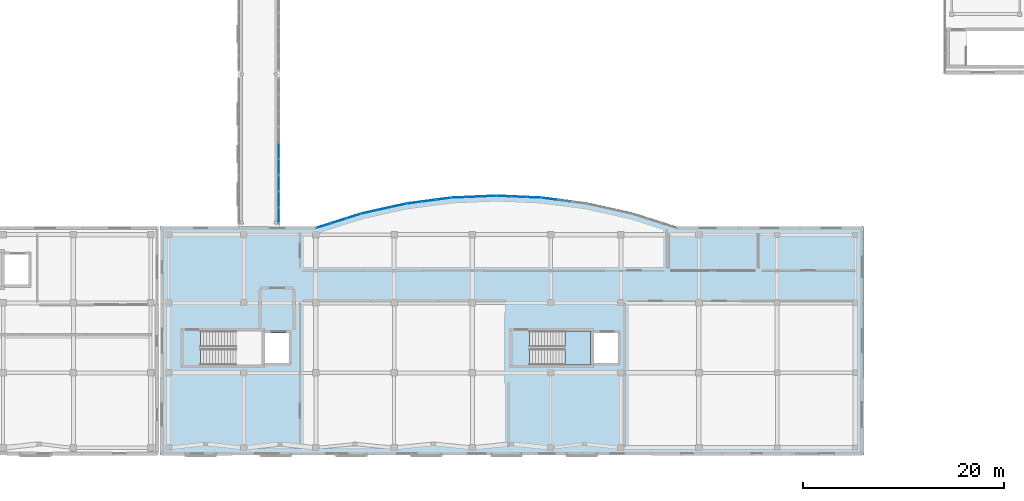
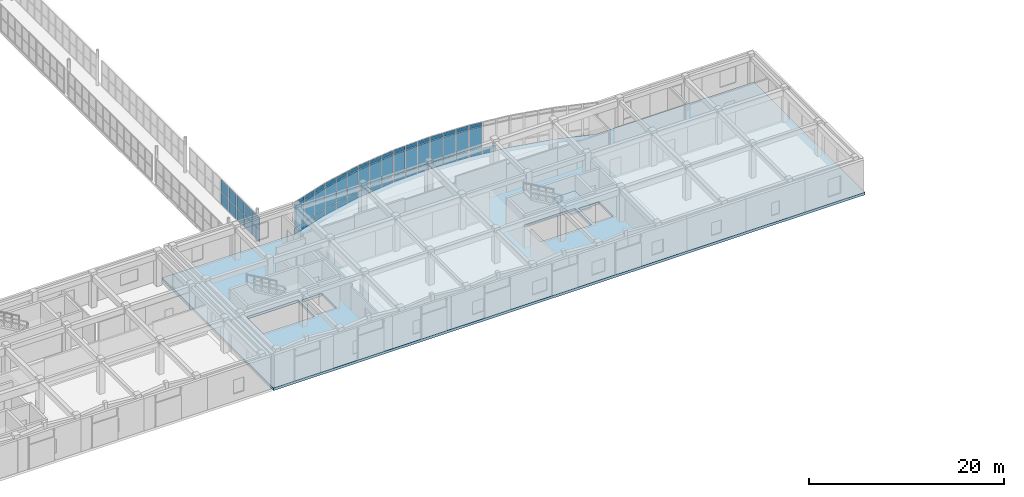
# One storey, part 107 of 142: 59 plates, 2 slabs, 9 elements without a shape of their own.
"""IFC4 building model written with IfcOpenShell, lengths in metres."""

import ifcopenshell
import ifcopenshell.guid

model = None  # the IFC model being written
_history = None  # IfcOwnerHistory: only IFC2X3 demands one
_inside = {}  # id of a spatial element -> (the spatial element, [elements in it])
_under = {}  # id of a project, library or spatial element -> (it, [spatial elements below it])
_declared = {}  # id of a project -> (the project, [libraries it declares])
_typed = {}  # id of a type object -> (the type object, [elements of that type])
_made_of = {}  # id of a material, layer set ... -> (it, [elements and type objects made of it])


def new_model(schema):
    """Start an empty IFC model of exactly this schema.

    Asked for "IFC4X3", IfcOpenShell would pick the latest addendum, in which some entities
    have other attributes; the version numbers below select the first issue.
    IFC2X3 requires an IfcOwnerHistory on every rooted entity: one is made here for all.
    """
    global model, _history
    if schema == "IFC4X3":
        model = ifcopenshell.file(schema_version=(4, 3, 0, 0))
    else:
        model = ifcopenshell.file(schema=schema)
    _inside.clear()
    _under.clear()
    _declared.clear()
    _typed.clear()
    _made_of.clear()
    _history = None
    if model.schema == "IFC2X3":
        org = make("IfcOrganization", Name="unknown")
        user = make(
            "IfcPersonAndOrganization",
            ThePerson=make("IfcPerson", FamilyName="unknown"),
            TheOrganization=org,
        )
        app = make(
            "IfcApplication",
            ApplicationDeveloper=org,
            Version="unknown",
            ApplicationFullName="unknown",
            ApplicationIdentifier="unknown",
        )
        _history = make(
            "IfcOwnerHistory",
            OwningUser=user,
            OwningApplication=app,
            ChangeAction="ADDED",
            CreationDate=0,
        )
    return model


def make(cls, **values):
    """One entity of the class cls with the attributes given. An attribute that is None is left unset."""
    return model.create_entity(
        cls, **{name: value for name, value in values.items() if value is not None}
    )


def rooted(cls, **values):
    """An entity with a GlobalId (a new one), such as an element, a storey or a relation."""
    return make(cls, GlobalId=ifcopenshell.guid.new(), OwnerHistory=_history, **values)


def si_unit(unit_type, name, prefix=None):
    """IfcSIUnit, for example si_unit("LENGTHUNIT", "METRE", prefix="MILLI")."""
    return make("IfcSIUnit", UnitType=unit_type, Prefix=prefix, Name=name)


def assignment(units):
    """IfcUnitAssignment: the units of a project."""
    return None if units is None else make("IfcUnitAssignment", Units=units)


def point(xyz):
    """IfcCartesianPoint."""
    return None if xyz is None else make("IfcCartesianPoint", Coordinates=xyz)


def direction(xyz):
    """IfcDirection."""
    return None if xyz is None else make("IfcDirection", DirectionRatios=xyz)


def frame(location, z_axis=None, x_axis=None):
    """IfcAxis2Placement3D, a coordinate frame: its origin and axes. An axis left out is left unset."""
    return make(
        "IfcAxis2Placement3D",
        Location=point(location),
        Axis=direction(z_axis),
        RefDirection=direction(x_axis),
    )


def frame_2d(location, x_axis=None):
    """IfcAxis2Placement2D, a coordinate frame in the plane: its origin and x axis."""
    return make(
        "IfcAxis2Placement2D", Location=point(location), RefDirection=direction(x_axis)
    )


def origin():
    """The frame at (0, 0, 0) with its axes left unset."""
    return frame((0.0, 0.0, 0.0))


def origin_2d():
    """The frame at (0, 0) in the plane with its x axis left unset."""
    return frame_2d((0.0, 0.0))


def place(relative_to, where):
    """IfcLocalPlacement: puts the frame where relative to a parent placement (None: the world)."""
    return make(
        "IfcLocalPlacement", PlacementRelTo=relative_to, RelativePlacement=where
    )


def context(
    kind, dimensions, precision=None, world=None, true_north=None, identifier=None
):
    """IfcGeometricRepresentationContext, for example the 3D "Model" context."""
    return make(
        "IfcGeometricRepresentationContext",
        ContextIdentifier=identifier,
        ContextType=kind,
        CoordinateSpaceDimension=dimensions,
        Precision=precision,
        WorldCoordinateSystem=world,
        TrueNorth=true_north,
    )


def subcontext(parent, identifier, kind, view, scale=None):
    """IfcGeometricRepresentationSubContext, for example "Body" below "Model"."""
    return make(
        "IfcGeometricRepresentationSubContext",
        ContextIdentifier=identifier,
        ContextType=kind,
        ParentContext=parent,
        TargetScale=scale,
        TargetView=view,
    )


def project(units=None, contexts=None):
    """IfcProject with its units and contexts."""
    return rooted(
        "IfcProject",
        Name="project",
        RepresentationContexts=contexts,
        UnitsInContext=assignment(units),
    )


def spatial(cls, under=None, at=None, **own):
    """A site, building, storey or space (cls), placed at a placement, below another one or the project."""
    s = rooted(cls, ObjectPlacement=at, **own)
    if under is not None:
        _under.setdefault(under.id(), (under, []))[1].append(s)
    return s


def polyline(points):
    """IfcPolyline through the points."""
    return make("IfcPolyline", Points=[point(p) for p in points])


def profile(cls, at=None, kind="AREA", **sizes):
    """A parametric profile (cls). Its sizes go by their IFC names, for example OverallWidth=200.0."""
    return make(cls, ProfileType=kind, Position=at, **sizes)


def rectangle(**sizes):
    """IfcRectangleProfileDef."""
    return profile("IfcRectangleProfileDef", **sizes)


def outline(outer, holes=None, kind="AREA"):
    """IfcArbitraryClosedProfileDef: a profile drawn as a closed curve; with holes, ...WithVoids."""
    if holes is None:
        return make("IfcArbitraryClosedProfileDef", ProfileType=kind, OuterCurve=outer)
    return make(
        "IfcArbitraryProfileDefWithVoids",
        ProfileType=kind,
        OuterCurve=outer,
        InnerCurves=holes,
    )


def extrude(swept, where, along, depth):
    """IfcExtrudedAreaSolid: the profile swept, set in the frame where, extruded along a direction by depth."""
    return make(
        "IfcExtrudedAreaSolid",
        SweptArea=swept,
        Position=where,
        ExtrudedDirection=direction(along),
        Depth=depth,
    )


def shape(context_of_items, identifier, shape_type, items):
    """IfcShapeRepresentation: the items that make up one representation, for example the "Body"."""
    return make(
        "IfcShapeRepresentation",
        ContextOfItems=context_of_items,
        RepresentationIdentifier=identifier,
        RepresentationType=shape_type,
        Items=items,
    )


def material(Name=None, Category=None):
    """IfcMaterial."""
    return make("IfcMaterial", Name=Name, Category=Category)


def layer(
    of_material, thickness, ventilated=None, Name=None, Category=None, Priority=None
):
    """IfcMaterialLayer: one layer of a wall or slab, of a material (None: an air gap)."""
    return make(
        "IfcMaterialLayer",
        Material=of_material,
        LayerThickness=thickness,
        IsVentilated=ventilated,
        Name=Name,
        Category=Category,
        Priority=Priority,
    )


def layer_set(layers, Name=None):
    """IfcMaterialLayerSet."""
    return make("IfcMaterialLayerSet", MaterialLayers=layers, LayerSetName=Name)


def made_of(thing, what):
    """Note that an element or type object is made of a material, layer set ...; save() writes the relation."""
    if what is not None:
        _made_of.setdefault(what.id(), (what, []))[1].append(thing)
    return thing


def type_object(cls, material=None, **own):
    """A type object (cls), such as IfcWallType, which elements share."""
    return made_of(rooted(cls, **own), material)


def element(
    cls,
    number,
    at=None,
    inside=None,
    cuts=None,
    type_object=None,
    material=None,
    context=None,
    identifier="Body",
    shape_type=None,
    held_by="IfcProductDefinitionShape",
    body=None,
    shapes=None,
    **own,
):
    """One element of the class cls, such as IfcWall. Its Tag is "e" and its number.

    at: its placement. inside: the storey or other place that contains it. cuts: it is an
    opening in that element (IfcRelVoidsElement). A single representation is given by context,
    identifier, shape_type and body (its items); several are given by shapes. held_by: the class
    of the entity that holds the representations. save() writes the other relations.
    """
    e = rooted(cls, Tag="e%d" % number, ObjectPlacement=at, **own)
    if body is not None:
        shapes = [shape(context, identifier, shape_type, body)]
    if shapes is not None:
        e.Representation = make(held_by, Representations=shapes)
    if inside is not None:
        _inside.setdefault(inside.id(), (inside, []))[1].append(e)
    if cuts is not None:
        rooted(
            "IfcRelVoidsElement", RelatingBuildingElement=cuts, RelatedOpeningElement=e
        )
    if type_object is not None:
        _typed.setdefault(type_object.id(), (type_object, []))[1].append(e)
    return made_of(e, material)


def aggregate(whole, parts):
    """IfcRelAggregates: a whole, such as a stair, and the parts it consists of."""
    return rooted("IfcRelAggregates", RelatingObject=whole, RelatedObjects=parts)


def save(model, path):
    """Write the relations noted so far, then the file.

    IfcRelAggregates (storeys below a building ...), IfcRelContainedInSpatialStructure (elements
    in a storey), IfcRelDefinesByType, IfcRelAssociatesMaterial and IfcRelDeclares: one each for
    every whole, place, type object, material and project.
    """
    for whole, parts in _under.values():
        aggregate(whole, parts)
    for where, things in _inside.values():
        rooted(
            "IfcRelContainedInSpatialStructure",
            RelatedElements=things,
            RelatingStructure=where,
        )
    for kind, things in _typed.values():
        rooted("IfcRelDefinesByType", RelatedObjects=things, RelatingType=kind)
    for what, things in _made_of.values():
        rooted("IfcRelAssociatesMaterial", RelatedObjects=things, RelatingMaterial=what)
    for by, libraries in _declared.values():
        rooted("IfcRelDeclares", RelatingContext=by, RelatedDefinitions=libraries)
    model.write(path)


model = new_model("IFC4")

# Units and contexts
model_context = context("Model", 3, precision=1e-05, world=origin(), true_north=direction((0.0, 1.0)))
body_context = subcontext(model_context, "Body", "Model", "MODEL_VIEW")
ifc_project = project(units=[si_unit("LENGTHUNIT", "METRE"), si_unit("AREAUNIT", "SQUARE_METRE"), si_unit("VOLUMEUNIT", "CUBIC_METRE"), si_unit("PLANEANGLEUNIT", "RADIAN"), si_unit("MASSUNIT", "GRAM", prefix="KILO")], contexts=[model_context])

# Site, building, storey
site_placement = place(None, origin())
site = spatial("IfcSite", under=ifc_project, at=site_placement, CompositionType="ELEMENT")
building_placement = place(site_placement, origin())
building = spatial("IfcBuilding", under=site, at=building_placement, Name="Valcora Specialist Clinic", CompositionType="ELEMENT")
storey_placement = place(building_placement, frame((0.0, 0.0, 5.10009765625)))
storey = spatial("IfcBuildingStorey", under=building, at=storey_placement, Name="L01", CompositionType="ELEMENT", Elevation=5.10009765625)

# Curtain wall, plates
ifc_material_1 = material(Name="Anodized Bronze Aluminium 6063-T6", Category="aluminium")
ifc_layer_1 = layer(ifc_material_1, 0.175048828125)
ifc_layer_set_1 = layer_set([ifc_layer_1], Name="Anodized Bronze Aluminium 6063-T6")
curtain_wall_type_1 = type_object("IfcCurtainWallType", Name="TY-CW-ARC44", PredefinedType="NOTDEFINED", material=ifc_layer_set_1)
curtain_wall_1_placement = place(storey_placement, origin())
curtain_wall_1 = element("IfcCurtainWall", 1, at=curtain_wall_1_placement, inside=storey, type_object=curtain_wall_type_1, Name="Curtain wall CW-L01-194", PredefinedType="NOTDEFINED")
ifc_material_2 = material(Name="Low-E Laminated Insulating Glass", Category="glass")
ifc_layer_2 = layer(ifc_material_2, 0.028076171875)
ifc_layer_set_2 = layer_set([ifc_layer_2], Name="Low-E Laminated Insulating Glass")
plate_type_1 = type_object("IfcPlateType", Name="TY-CWP-GLZ28", PredefinedType="CURTAIN_PANEL", material=ifc_layer_set_2)
plate_1_placement = place(storey_placement, frame((69.79150390625, 22.89453125, 0.88232421875), z_axis=(0.0, 0.0, 1.0), x_axis=(0.952916356972, 0.303233270958, 0.0)))
plate_1 = element("IfcPlate", 2, at=plate_1_placement, type_object=plate_type_1, Name="CW-ARC-44 panel 1.2", PredefinedType="CURTAIN_PANEL", context=body_context, shape_type="SweptSolid", body=[
    extrude(rectangle(XDim=1.482177734375, YDim=0.028076171875, at=origin_2d()), origin(), (0.0, 0.0, 1.0), 2.639892578125),
])
plate_2_placement = place(storey_placement, frame((69.79150390625, 22.89453125, 3.58740234375), z_axis=(0.0, 0.0, 1.0), x_axis=(0.952916356972, 0.303233270958, 0.0)))
plate_2 = element("IfcPlate", 3, at=plate_2_placement, type_object=plate_type_1, Name="CW-ARC-44 panel 1.3", PredefinedType="CURTAIN_PANEL", context=body_context, shape_type="SweptSolid", body=[
    extrude(rectangle(XDim=1.482177734375, YDim=0.028076171875, at=origin_2d()), origin(), (0.0, 0.0, 1.0), 0.452392578125),
])
plate_3_placement = place(storey_placement, frame((71.28125, 23.368408203125, 0.88232421875), z_axis=(0.0, 0.0, 1.0), x_axis=(0.952916356972, 0.303233270958, 0.0)))
plate_3 = element("IfcPlate", 4, at=plate_3_placement, type_object=plate_type_1, Name="CW-ARC-44 panel 2.2", PredefinedType="CURTAIN_PANEL", context=body_context, shape_type="SweptSolid", body=[
    extrude(rectangle(XDim=1.5146484375, YDim=0.028076171875, at=origin_2d()), origin(), (0.0, 0.0, 1.0), 2.639892578125),
])
plate_4_placement = place(storey_placement, frame((71.28125, 23.368408203125, 3.58740234375), z_axis=(0.0, 0.0, 1.0), x_axis=(0.952916356972, 0.303233270958, 0.0)))
plate_4 = element("IfcPlate", 5, at=plate_4_placement, type_object=plate_type_1, Name="CW-ARC-44 panel 2.3", PredefinedType="CURTAIN_PANEL", context=body_context, shape_type="SweptSolid", body=[
    extrude(rectangle(XDim=1.5146484375, YDim=0.028076171875, at=origin_2d()), origin(), (0.0, 0.0, 1.0), 0.452392578125),
])
plate_5_placement = place(storey_placement, frame((72.77099609375, 23.842529296875, 0.88232421875), z_axis=(0.0, 0.0, 1.0), x_axis=(0.952916356972, 0.303233270958, 0.0)))
plate_5 = element("IfcPlate", 6, at=plate_5_placement, type_object=plate_type_1, Name="CW-ARC-44 panel 3.2", PredefinedType="CURTAIN_PANEL", context=body_context, shape_type="SweptSolid", body=[
    extrude(rectangle(XDim=1.482177734375, YDim=0.028076171875, at=origin_2d()), origin(), (0.0, 0.0, 1.0), 2.639892578125),
])
plate_6_placement = place(storey_placement, frame((72.77099609375, 23.842529296875, 3.58740234375), z_axis=(0.0, 0.0, 1.0), x_axis=(0.952916356972, 0.303233270958, 0.0)))
plate_6 = element("IfcPlate", 7, at=plate_6_placement, type_object=plate_type_1, Name="CW-ARC-44 panel 3.3", PredefinedType="CURTAIN_PANEL", context=body_context, shape_type="SweptSolid", body=[
    extrude(rectangle(XDim=1.482177734375, YDim=0.028076171875, at=origin_2d()), origin(), (0.0, 0.0, 1.0), 0.452392578125),
])

curtain_wall_2_placement = place(storey_placement, origin())
curtain_wall_2 = element("IfcCurtainWall", 8, at=curtain_wall_2_placement, inside=storey, type_object=curtain_wall_type_1, Name="Curtain wall CW-L01-196", PredefinedType="NOTDEFINED")
plate_7_placement = place(storey_placement, frame((78.7900390625, 25.182373046875, 0.88232421875), z_axis=(0.0, 0.0, 1.0), x_axis=(0.991514060421, 0.129999492259, 0.0)))
plate_7 = element("IfcPlate", 9, at=plate_7_placement, type_object=plate_type_1, Name="CW-ARC-44 panel 1.2", PredefinedType="CURTAIN_PANEL", context=body_context, shape_type="SweptSolid", body=[
    extrude(rectangle(XDim=1.410888671875, YDim=0.028076171875, at=origin_2d()), origin(), (0.0, 0.0, 1.0), 2.639892578125),
])
plate_8_placement = place(storey_placement, frame((78.7900390625, 25.182373046875, 3.58740234375), z_axis=(0.0, 0.0, 1.0), x_axis=(0.991514060421, 0.129999492259, 0.0)))
plate_8 = element("IfcPlate", 10, at=plate_8_placement, type_object=plate_type_1, Name="CW-ARC-44 panel 1.3", PredefinedType="CURTAIN_PANEL", context=body_context, shape_type="SweptSolid", body=[
    extrude(rectangle(XDim=1.410888671875, YDim=0.028076171875, at=origin_2d()), origin(), (0.0, 0.0, 1.0), 0.452392578125),
])
plate_9_placement = place(storey_placement, frame((80.26953125, 25.376220703125, 0.88232421875), z_axis=(0.0, 0.0, 1.0), x_axis=(0.991514060421, 0.129999492259, 0.0)))
plate_9 = element("IfcPlate", 11, at=plate_9_placement, type_object=plate_type_1, Name="CW-ARC-44 panel 2.2", PredefinedType="CURTAIN_PANEL", context=body_context, shape_type="SweptSolid", body=[
    extrude(rectangle(XDim=1.443359375, YDim=0.028076171875, at=origin_2d()), origin(), (0.0, 0.0, 1.0), 2.639892578125),
])
plate_10_placement = place(storey_placement, frame((80.26953125, 25.376220703125, 3.58740234375), z_axis=(0.0, 0.0, 1.0), x_axis=(0.991514060421, 0.129999492259, 0.0)))
plate_10 = element("IfcPlate", 12, at=plate_10_placement, type_object=plate_type_1, Name="CW-ARC-44 panel 2.3", PredefinedType="CURTAIN_PANEL", context=body_context, shape_type="SweptSolid", body=[
    extrude(rectangle(XDim=1.443359375, YDim=0.028076171875, at=origin_2d()), origin(), (0.0, 0.0, 1.0), 0.452392578125),
])
plate_11_placement = place(storey_placement, frame((81.7490234375, 25.5703125, 0.88232421875), z_axis=(0.0, 0.0, 1.0), x_axis=(0.991514060421, 0.129999492259, 0.0)))
plate_11 = element("IfcPlate", 13, at=plate_11_placement, type_object=plate_type_1, Name="CW-ARC-44 panel 3.2", PredefinedType="CURTAIN_PANEL", context=body_context, shape_type="SweptSolid", body=[
    extrude(rectangle(XDim=1.410888671875, YDim=0.028076171875, at=origin_2d()), origin(), (0.0, 0.0, 1.0), 2.639892578125),
])
plate_12_placement = place(storey_placement, frame((81.7490234375, 25.5703125, 3.58740234375), z_axis=(0.0, 0.0, 1.0), x_axis=(0.991514060421, 0.129999492259, 0.0)))
plate_12 = element("IfcPlate", 14, at=plate_12_placement, type_object=plate_type_1, Name="CW-ARC-44 panel 3.3", PredefinedType="CURTAIN_PANEL", context=body_context, shape_type="SweptSolid", body=[
    extrude(rectangle(XDim=1.410888671875, YDim=0.028076171875, at=origin_2d()), origin(), (0.0, 0.0, 1.0), 0.452392578125),
])

curtain_wall_3_placement = place(storey_placement, origin())
curtain_wall_3 = element("IfcCurtainWall", 15, at=curtain_wall_3_placement, inside=storey, type_object=curtain_wall_type_1, Name="Curtain wall CW-L01-198", PredefinedType="NOTDEFINED")
plate_13_placement = place(storey_placement, frame((87.76416015625, 25.831787109375, 0.88232421875), z_axis=(0.0, 0.0, 1.0), x_axis=(0.999061821291, -0.043306780525, 0.0)))
plate_13 = element("IfcPlate", 16, at=plate_13_placement, type_object=plate_type_1, Name="CW-ARC-44 panel 1.2", PredefinedType="CURTAIN_PANEL", context=body_context, shape_type="SweptSolid", body=[
    extrude(rectangle(XDim=1.399658203125, YDim=0.028076171875, at=origin_2d()), origin(), (0.0, 0.0, 1.0), 2.639892578125),
])
plate_14_placement = place(storey_placement, frame((87.76416015625, 25.831787109375, 3.58740234375), z_axis=(0.0, 0.0, 1.0), x_axis=(0.999061821291, -0.043306780525, 0.0)))
plate_14 = element("IfcPlate", 17, at=plate_14_placement, type_object=plate_type_1, Name="CW-ARC-44 panel 1.3", PredefinedType="CURTAIN_PANEL", context=body_context, shape_type="SweptSolid", body=[
    extrude(rectangle(XDim=1.399658203125, YDim=0.028076171875, at=origin_2d()), origin(), (0.0, 0.0, 1.0), 0.452392578125),
])
plate_15_placement = place(storey_placement, frame((89.243408203125, 25.767578125, 0.88232421875), z_axis=(0.0, 0.0, 1.0), x_axis=(0.999061821291, -0.043306780525, 0.0)))
plate_15 = element("IfcPlate", 18, at=plate_15_placement, type_object=plate_type_1, Name="CW-ARC-44 panel 2.2", PredefinedType="CURTAIN_PANEL", context=body_context, shape_type="SweptSolid", body=[
    extrude(rectangle(XDim=1.43212890625, YDim=0.028076171875, at=origin_2d()), origin(), (0.0, 0.0, 1.0), 2.639892578125),
])
plate_16_placement = place(storey_placement, frame((89.243408203125, 25.767578125, 3.58740234375), z_axis=(0.0, 0.0, 1.0), x_axis=(0.999061821291, -0.043306780525, 0.0)))
plate_16 = element("IfcPlate", 19, at=plate_16_placement, type_object=plate_type_1, Name="CW-ARC-44 panel 2.3", PredefinedType="CURTAIN_PANEL", context=body_context, shape_type="SweptSolid", body=[
    extrude(rectangle(XDim=1.43212890625, YDim=0.028076171875, at=origin_2d()), origin(), (0.0, 0.0, 1.0), 0.452392578125),
])
plate_17_placement = place(storey_placement, frame((90.722900390625, 25.70361328125, 0.88232421875), z_axis=(0.0, 0.0, 1.0), x_axis=(0.999061821291, -0.043306780525, 0.0)))
plate_17 = element("IfcPlate", 20, at=plate_17_placement, type_object=plate_type_1, Name="CW-ARC-44 panel 3.2", PredefinedType="CURTAIN_PANEL", context=body_context, shape_type="SweptSolid", body=[
    extrude(rectangle(XDim=1.399658203125, YDim=0.028076171875, at=origin_2d()), origin(), (0.0, 0.0, 1.0), 2.639892578125),
])
plate_18_placement = place(storey_placement, frame((90.722900390625, 25.70361328125, 3.58740234375), z_axis=(0.0, 0.0, 1.0), x_axis=(0.999061821291, -0.043306780525, 0.0)))
plate_18 = element("IfcPlate", 21, at=plate_18_placement, type_object=plate_type_1, Name="CW-ARC-44 panel 3.3", PredefinedType="CURTAIN_PANEL", context=body_context, shape_type="SweptSolid", body=[
    extrude(rectangle(XDim=1.399658203125, YDim=0.028076171875, at=origin_2d()), origin(), (0.0, 0.0, 1.0), 0.452392578125),
])

ifc_layer_3 = layer(ifc_material_1, 0.175048828125)
ifc_layer_set_3 = layer_set([ifc_layer_3], Name="Anodized Bronze Aluminium 6063-T6")
curtain_wall_type_2 = type_object("IfcCurtainWallType", Name="TY-CW-BRG14", PredefinedType="NOTDEFINED", material=ifc_layer_set_3)
curtain_wall_4_placement = place(storey_placement, origin())
curtain_wall_4 = element("IfcCurtainWall", 22, at=curtain_wall_4_placement, inside=storey, type_object=curtain_wall_type_2, Name="Curtain wall CW-L01-240", PredefinedType="NOTDEFINED")
plate_19_placement = place(storey_placement, frame((65.280029296875, 23.921875, 0.06494140625), z_axis=(0.0, 0.0, 1.0), x_axis=(0.0, 1.0, 0.0)))
plate_19 = element("IfcPlate", 23, at=plate_19_placement, type_object=plate_type_1, Name="CW-BRG-14 panel 1.1", PredefinedType="CURTAIN_PANEL", context=body_context, shape_type="SweptSolid", body=[
    extrude(rectangle(XDim=1.513671875, YDim=0.028076171875, at=origin_2d()), origin(), (0.0, 0.0, 1.0), 1.5224609375),
])
plate_20_placement = place(storey_placement, frame((65.280029296875, 23.921875, 1.65234375), z_axis=(0.0, 0.0, 1.0), x_axis=(0.0, 1.0, 0.0)))
plate_20 = element("IfcPlate", 24, at=plate_20_placement, type_object=plate_type_1, Name="CW-BRG-14 panel 1.2", PredefinedType="CURTAIN_PANEL", context=body_context, shape_type="SweptSolid", body=[
    extrude(rectangle(XDim=1.513671875, YDim=0.028076171875, at=origin_2d()), origin(), (0.0, 0.0, 1.0), 1.5224609375),
])
plate_21_placement = place(storey_placement, frame((65.280029296875, 25.5166015625, 0.06494140625), z_axis=(0.0, 0.0, 1.0), x_axis=(0.0, 1.0, 0.0)))
plate_21 = element("IfcPlate", 25, at=plate_21_placement, type_object=plate_type_1, Name="CW-BRG-14 panel 2.1", PredefinedType="CURTAIN_PANEL", context=body_context, shape_type="SweptSolid", body=[
    extrude(rectangle(XDim=1.546142578125, YDim=0.028076171875, at=origin_2d()), origin(), (0.0, 0.0, 1.0), 1.5224609375),
])
plate_22_placement = place(storey_placement, frame((65.280029296875, 25.5166015625, 1.65234375), z_axis=(0.0, 0.0, 1.0), x_axis=(0.0, 1.0, 0.0)))
plate_22 = element("IfcPlate", 26, at=plate_22_placement, type_object=plate_type_1, Name="CW-BRG-14 panel 2.2", PredefinedType="CURTAIN_PANEL", context=body_context, shape_type="SweptSolid", body=[
    extrude(rectangle(XDim=1.546142578125, YDim=0.028076171875, at=origin_2d()), origin(), (0.0, 0.0, 1.0), 1.5224609375),
])
plate_23_placement = place(storey_placement, frame((65.280029296875, 27.111572265625, 0.06494140625), z_axis=(0.0, 0.0, 1.0), x_axis=(0.0, 1.0, 0.0)))
plate_23 = element("IfcPlate", 27, at=plate_23_placement, type_object=plate_type_1, Name="CW-BRG-14 panel 3.1", PredefinedType="CURTAIN_PANEL", context=body_context, shape_type="SweptSolid", body=[
    extrude(rectangle(XDim=1.513671875, YDim=0.028076171875, at=origin_2d()), origin(), (0.0, 0.0, 1.0), 1.5224609375),
])
plate_24_placement = place(storey_placement, frame((65.280029296875, 27.111572265625, 1.65234375), z_axis=(0.0, 0.0, 1.0), x_axis=(0.0, 1.0, 0.0)))
plate_24 = element("IfcPlate", 28, at=plate_24_placement, type_object=plate_type_1, Name="CW-BRG-14 panel 3.2", PredefinedType="CURTAIN_PANEL", context=body_context, shape_type="SweptSolid", body=[
    extrude(rectangle(XDim=1.513671875, YDim=0.028076171875, at=origin_2d()), origin(), (0.0, 0.0, 1.0), 1.5224609375),
])
aggregate(curtain_wall_4, [plate_19, plate_20, plate_21, plate_22, plate_23, plate_24])

curtain_wall_5_placement = place(storey_placement, origin())
curtain_wall_5 = element("IfcCurtainWall", 29, at=curtain_wall_5_placement, inside=storey, type_object=curtain_wall_type_1, Name="Curtain wall CW-L01-195", PredefinedType="NOTDEFINED")
ifc_layer_4 = layer(ifc_material_2, 0.033935546875)
ifc_layer_set_4 = layer_set([ifc_layer_4], Name="Low-E Laminated Insulating Glass")
plate_type_2 = type_object("IfcPlateType", Name="TY-CWP-GLZ34", PredefinedType="CURTAIN_PANEL", material=ifc_layer_set_4)
plate_25_placement = place(storey_placement, frame((74.302734375, 24.25634765625, 0.88232421875), z_axis=(0.0, 0.0, 1.0), x_axis=(0.976278614432, 0.216518052372, 0.0)))
plate_25 = element("IfcPlate", 30, at=plate_25_placement, type_object=plate_type_2, Name="CW-ARC-44 panel 1.2", PredefinedType="CURTAIN_PANEL", context=body_context, shape_type="SweptSolid", body=[
    extrude(rectangle(XDim=1.4345703125, YDim=0.033935546875, at=origin_2d()), origin(), (0.0, 0.0, 1.0), 2.639892578125),
])
plate_26_placement = place(storey_placement, frame((74.302734375, 24.25634765625, 3.58740234375), z_axis=(0.0, 0.0, 1.0), x_axis=(0.976278614432, 0.216518052372, 0.0)))
plate_26 = element("IfcPlate", 31, at=plate_26_placement, type_object=plate_type_2, Name="CW-ARC-44 panel 1.3", PredefinedType="CURTAIN_PANEL", context=body_context, shape_type="SweptSolid", body=[
    extrude(rectangle(XDim=1.4345703125, YDim=0.033935546875, at=origin_2d()), origin(), (0.0, 0.0, 1.0), 0.452392578125),
])
plate_27_placement = place(storey_placement, frame((75.782470703125, 24.58447265625, 0.88232421875), z_axis=(0.0, 0.0, 1.0), x_axis=(0.976278614432, 0.216518052372, 0.0)))
plate_27 = element("IfcPlate", 32, at=plate_27_placement, type_object=plate_type_2, Name="CW-ARC-44 panel 2.2", PredefinedType="CURTAIN_PANEL", context=body_context, shape_type="SweptSolid", body=[
    extrude(rectangle(XDim=1.467041015625, YDim=0.033935546875, at=origin_2d()), origin(), (0.0, 0.0, 1.0), 2.639892578125),
])
plate_28_placement = place(storey_placement, frame((75.782470703125, 24.58447265625, 3.58740234375), z_axis=(0.0, 0.0, 1.0), x_axis=(0.976278614432, 0.216518052372, 0.0)))
plate_28 = element("IfcPlate", 33, at=plate_28_placement, type_object=plate_type_2, Name="CW-ARC-44 panel 2.3", PredefinedType="CURTAIN_PANEL", context=body_context, shape_type="SweptSolid", body=[
    extrude(rectangle(XDim=1.467041015625, YDim=0.033935546875, at=origin_2d()), origin(), (0.0, 0.0, 1.0), 0.452392578125),
])
plate_29_placement = place(storey_placement, frame((77.26220703125, 24.912841796875, 0.88232421875), z_axis=(0.0, 0.0, 1.0), x_axis=(0.976278614432, 0.216518052372, 0.0)))
plate_29 = element("IfcPlate", 34, at=plate_29_placement, type_object=plate_type_2, Name="CW-ARC-44 panel 3.2", PredefinedType="CURTAIN_PANEL", context=body_context, shape_type="SweptSolid", body=[
    extrude(rectangle(XDim=1.4345703125, YDim=0.033935546875, at=origin_2d()), origin(), (0.0, 0.0, 1.0), 2.639892578125),
])
plate_30_placement = place(storey_placement, frame((77.26220703125, 24.912841796875, 3.58740234375), z_axis=(0.0, 0.0, 1.0), x_axis=(0.976278614432, 0.216518052372, 0.0)))
plate_30 = element("IfcPlate", 35, at=plate_30_placement, type_object=plate_type_2, Name="CW-ARC-44 panel 3.3", PredefinedType="CURTAIN_PANEL", context=body_context, shape_type="SweptSolid", body=[
    extrude(rectangle(XDim=1.4345703125, YDim=0.033935546875, at=origin_2d()), origin(), (0.0, 0.0, 1.0), 0.452392578125),
])

curtain_wall_6_placement = place(storey_placement, origin())
curtain_wall_6 = element("IfcCurtainWall", 36, at=curtain_wall_6_placement, inside=storey, type_object=curtain_wall_type_1, Name="Curtain wall CW-L01-197", PredefinedType="NOTDEFINED")
plate_31_placement = place(storey_placement, frame((83.277099609375, 25.70361328125, 0.88232421875), z_axis=(0.0, 0.0, 1.0), x_axis=(0.999061821291, 0.043306780525, 0.0)))
plate_31 = element("IfcPlate", 37, at=plate_31_placement, type_object=plate_type_2, Name="CW-ARC-44 panel 1.2", PredefinedType="CURTAIN_PANEL", context=body_context, shape_type="SweptSolid", body=[
    extrude(rectangle(XDim=1.399658203125, YDim=0.033935546875, at=origin_2d()), origin(), (0.0, 0.0, 1.0), 2.639892578125),
])
plate_32_placement = place(storey_placement, frame((83.277099609375, 25.70361328125, 3.58740234375), z_axis=(0.0, 0.0, 1.0), x_axis=(0.999061821291, 0.043306780525, 0.0)))
plate_32 = element("IfcPlate", 38, at=plate_32_placement, type_object=plate_type_2, Name="CW-ARC-44 panel 1.3", PredefinedType="CURTAIN_PANEL", context=body_context, shape_type="SweptSolid", body=[
    extrude(rectangle(XDim=1.399658203125, YDim=0.033935546875, at=origin_2d()), origin(), (0.0, 0.0, 1.0), 0.452392578125),
])
plate_33_placement = place(storey_placement, frame((84.756591796875, 25.767578125, 0.88232421875), z_axis=(0.0, 0.0, 1.0), x_axis=(0.999061821291, 0.043306780525, 0.0)))
plate_33 = element("IfcPlate", 39, at=plate_33_placement, type_object=plate_type_2, Name="CW-ARC-44 panel 2.2", PredefinedType="CURTAIN_PANEL", context=body_context, shape_type="SweptSolid", body=[
    extrude(rectangle(XDim=1.43212890625, YDim=0.033935546875, at=origin_2d()), origin(), (0.0, 0.0, 1.0), 2.639892578125),
])
plate_34_placement = place(storey_placement, frame((84.756591796875, 25.767578125, 3.58740234375), z_axis=(0.0, 0.0, 1.0), x_axis=(0.999061821291, 0.043306780525, 0.0)))
plate_34 = element("IfcPlate", 40, at=plate_34_placement, type_object=plate_type_2, Name="CW-ARC-44 panel 2.3", PredefinedType="CURTAIN_PANEL", context=body_context, shape_type="SweptSolid", body=[
    extrude(rectangle(XDim=1.43212890625, YDim=0.033935546875, at=origin_2d()), origin(), (0.0, 0.0, 1.0), 0.452392578125),
])
plate_35_placement = place(storey_placement, frame((86.23583984375, 25.831787109375, 0.88232421875), z_axis=(0.0, 0.0, 1.0), x_axis=(0.999061821291, 0.043306780525, 0.0)))
plate_35 = element("IfcPlate", 41, at=plate_35_placement, type_object=plate_type_2, Name="CW-ARC-44 panel 3.2", PredefinedType="CURTAIN_PANEL", context=body_context, shape_type="SweptSolid", body=[
    extrude(rectangle(XDim=1.399658203125, YDim=0.033935546875, at=origin_2d()), origin(), (0.0, 0.0, 1.0), 2.639892578125),
])
plate_36_placement = place(storey_placement, frame((86.23583984375, 25.831787109375, 3.58740234375), z_axis=(0.0, 0.0, 1.0), x_axis=(0.999061821291, 0.043306780525, 0.0)))
plate_36 = element("IfcPlate", 42, at=plate_36_placement, type_object=plate_type_2, Name="CW-ARC-44 panel 3.3", PredefinedType="CURTAIN_PANEL", context=body_context, shape_type="SweptSolid", body=[
    extrude(rectangle(XDim=1.399658203125, YDim=0.033935546875, at=origin_2d()), origin(), (0.0, 0.0, 1.0), 0.452392578125),
])

curtain_wall_7_placement = place(storey_placement, origin())
curtain_wall_7 = element("IfcCurtainWall", 43, at=curtain_wall_7_placement, inside=storey, type_object=curtain_wall_type_1, Name="Curtain wall CW-L01-199", PredefinedType="NOTDEFINED")
plate_37_placement = place(storey_placement, frame((92.2509765625, 25.5703125, 0.88232421875), z_axis=(0.0, 0.0, 1.0), x_axis=(0.991514060421, -0.129999492259, 0.0)))
plate_37 = element("IfcPlate", 44, at=plate_37_placement, type_object=plate_type_2, Name="CW-ARC-44 panel 1.2", PredefinedType="CURTAIN_PANEL", context=body_context, shape_type="SweptSolid", body=[
    extrude(rectangle(XDim=1.410888671875, YDim=0.033935546875, at=origin_2d()), origin(), (0.0, 0.0, 1.0), 2.639892578125),
])
plate_38_placement = place(storey_placement, frame((92.2509765625, 25.5703125, 3.58740234375), z_axis=(0.0, 0.0, 1.0), x_axis=(0.991514060421, -0.129999492259, 0.0)))
plate_38 = element("IfcPlate", 45, at=plate_38_placement, type_object=plate_type_2, Name="CW-ARC-44 panel 1.3", PredefinedType="CURTAIN_PANEL", context=body_context, shape_type="SweptSolid", body=[
    extrude(rectangle(XDim=1.410888671875, YDim=0.033935546875, at=origin_2d()), origin(), (0.0, 0.0, 1.0), 0.452392578125),
])

curtain_wall_8_placement = place(storey_placement, origin())
curtain_wall_8 = element("IfcCurtainWall", 46, at=curtain_wall_8_placement, inside=storey, type_object=curtain_wall_type_2, Name="Curtain wall CW-L01-241", PredefinedType="NOTDEFINED")
plate_39_placement = place(storey_placement, frame((65.280029296875, 28.755126953125, 0.06494140625), z_axis=(0.0, 0.0, 1.0), x_axis=(0.0, 1.0, 0.0)))
plate_39 = element("IfcPlate", 47, at=plate_39_placement, type_object=plate_type_2, Name="CW-BRG-14 panel 1.1", PredefinedType="CURTAIN_PANEL", context=body_context, shape_type="SweptSolid", body=[
    extrude(rectangle(XDim=1.513671875, YDim=0.033935546875, at=origin_2d()), origin(), (0.0, 0.0, 1.0), 1.5224609375),
])
plate_40_placement = place(storey_placement, frame((65.280029296875, 28.755126953125, 1.65234375), z_axis=(0.0, 0.0, 1.0), x_axis=(0.0, 1.0, 0.0)))
plate_40 = element("IfcPlate", 48, at=plate_40_placement, type_object=plate_type_2, Name="CW-BRG-14 panel 1.2", PredefinedType="CURTAIN_PANEL", context=body_context, shape_type="SweptSolid", body=[
    extrude(rectangle(XDim=1.513671875, YDim=0.033935546875, at=origin_2d()), origin(), (0.0, 0.0, 1.0), 1.5224609375),
])
plate_41_placement = place(storey_placement, frame((65.280029296875, 30.35009765625, 0.06494140625), z_axis=(0.0, 0.0, 1.0), x_axis=(0.0, 1.0, 0.0)))
plate_41 = element("IfcPlate", 49, at=plate_41_placement, type_object=plate_type_2, Name="CW-BRG-14 panel 2.1", PredefinedType="CURTAIN_PANEL", context=body_context, shape_type="SweptSolid", body=[
    extrude(rectangle(XDim=1.546142578125, YDim=0.033935546875, at=origin_2d()), origin(), (0.0, 0.0, 1.0), 1.5224609375),
])
plate_42_placement = place(storey_placement, frame((65.280029296875, 30.35009765625, 1.65234375), z_axis=(0.0, 0.0, 1.0), x_axis=(0.0, 1.0, 0.0)))
plate_42 = element("IfcPlate", 50, at=plate_42_placement, type_object=plate_type_2, Name="CW-BRG-14 panel 2.2", PredefinedType="CURTAIN_PANEL", context=body_context, shape_type="SweptSolid", body=[
    extrude(rectangle(XDim=1.546142578125, YDim=0.033935546875, at=origin_2d()), origin(), (0.0, 0.0, 1.0), 1.5224609375),
])
aggregate(curtain_wall_8, [plate_39, plate_40, plate_41, plate_42])

# Plate
ifc_material_3 = material(Name="Insulated Spandrel Panel")
ifc_layer_5 = layer(ifc_material_3, 0.044921875)
ifc_layer_set_5 = layer_set([ifc_layer_5], Name="Insulated Spandrel Panel")
plate_type_3 = type_object("IfcPlateType", Name="TY-CWP-SPN45", PredefinedType="SHEET", material=ifc_layer_set_5)
plate_43_placement = place(storey_placement, frame((69.79150390625, 22.89453125, 0.06494140625), z_axis=(0.0, 0.0, 1.0), x_axis=(0.952916356972, 0.303233270958, 0.0)))
plate_43 = element("IfcPlate", 51, at=plate_43_placement, type_object=plate_type_3, Name="CW-ARC-44 panel 1.1", PredefinedType="SHEET", context=body_context, shape_type="SweptSolid", body=[
    extrude(rectangle(XDim=1.482177734375, YDim=0.044921875, at=origin_2d()), origin(), (0.0, 0.0, 1.0), 0.75244140625),
])

plate_44_placement = place(storey_placement, frame((71.28125, 23.368408203125, 0.06494140625), z_axis=(0.0, 0.0, 1.0), x_axis=(0.952916356972, 0.303233270958, 0.0)))
plate_44 = element("IfcPlate", 52, at=plate_44_placement, type_object=plate_type_3, Name="CW-ARC-44 panel 2.1", PredefinedType="SHEET", context=body_context, shape_type="SweptSolid", body=[
    extrude(rectangle(XDim=1.5146484375, YDim=0.044921875, at=origin_2d()), origin(), (0.0, 0.0, 1.0), 0.75244140625),
])

plate_45_placement = place(storey_placement, frame((72.77099609375, 23.842529296875, 0.06494140625), z_axis=(0.0, 0.0, 1.0), x_axis=(0.952916356972, 0.303233270958, 0.0)))
plate_45 = element("IfcPlate", 53, at=plate_45_placement, type_object=plate_type_3, Name="CW-ARC-44 panel 3.1", PredefinedType="SHEET", context=body_context, shape_type="SweptSolid", body=[
    extrude(rectangle(XDim=1.482177734375, YDim=0.044921875, at=origin_2d()), origin(), (0.0, 0.0, 1.0), 0.75244140625),
])

aggregate(curtain_wall_1, [plate_43, plate_1, plate_2, plate_44, plate_3, plate_4, plate_45, plate_5, plate_6])

plate_46_placement = place(storey_placement, frame((74.302734375, 24.25634765625, 0.06494140625), z_axis=(0.0, 0.0, 1.0), x_axis=(0.976278614432, 0.216518052372, 0.0)))
plate_46 = element("IfcPlate", 54, at=plate_46_placement, type_object=plate_type_3, Name="CW-ARC-44 panel 1.1", PredefinedType="SHEET", context=body_context, shape_type="SweptSolid", body=[
    extrude(rectangle(XDim=1.4345703125, YDim=0.044921875, at=origin_2d()), origin(), (0.0, 0.0, 1.0), 0.75244140625),
])

plate_47_placement = place(storey_placement, frame((75.782470703125, 24.58447265625, 0.06494140625), z_axis=(0.0, 0.0, 1.0), x_axis=(0.976278614432, 0.216518052372, 0.0)))
plate_47 = element("IfcPlate", 55, at=plate_47_placement, type_object=plate_type_3, Name="CW-ARC-44 panel 2.1", PredefinedType="SHEET", context=body_context, shape_type="SweptSolid", body=[
    extrude(rectangle(XDim=1.467041015625, YDim=0.044921875, at=origin_2d()), origin(), (0.0, 0.0, 1.0), 0.75244140625),
])

plate_48_placement = place(storey_placement, frame((77.26220703125, 24.912841796875, 0.06494140625), z_axis=(0.0, 0.0, 1.0), x_axis=(0.976278614432, 0.216518052372, 0.0)))
plate_48 = element("IfcPlate", 56, at=plate_48_placement, type_object=plate_type_3, Name="CW-ARC-44 panel 3.1", PredefinedType="SHEET", context=body_context, shape_type="SweptSolid", body=[
    extrude(rectangle(XDim=1.4345703125, YDim=0.044921875, at=origin_2d()), origin(), (0.0, 0.0, 1.0), 0.75244140625),
])

aggregate(curtain_wall_5, [plate_46, plate_25, plate_26, plate_47, plate_27, plate_28, plate_48, plate_29, plate_30])

plate_49_placement = place(storey_placement, frame((78.7900390625, 25.182373046875, 0.06494140625), z_axis=(0.0, 0.0, 1.0), x_axis=(0.991514060421, 0.129999492259, 0.0)))
plate_49 = element("IfcPlate", 57, at=plate_49_placement, type_object=plate_type_3, Name="CW-ARC-44 panel 1.1", PredefinedType="SHEET", context=body_context, shape_type="SweptSolid", body=[
    extrude(rectangle(XDim=1.410888671875, YDim=0.044921875, at=origin_2d()), origin(), (0.0, 0.0, 1.0), 0.75244140625),
])

plate_50_placement = place(storey_placement, frame((80.26953125, 25.376220703125, 0.06494140625), z_axis=(0.0, 0.0, 1.0), x_axis=(0.991514060421, 0.129999492259, 0.0)))
plate_50 = element("IfcPlate", 58, at=plate_50_placement, type_object=plate_type_3, Name="CW-ARC-44 panel 2.1", PredefinedType="SHEET", context=body_context, shape_type="SweptSolid", body=[
    extrude(rectangle(XDim=1.443359375, YDim=0.044921875, at=origin_2d()), origin(), (0.0, 0.0, 1.0), 0.75244140625),
])

plate_51_placement = place(storey_placement, frame((81.7490234375, 25.5703125, 0.06494140625), z_axis=(0.0, 0.0, 1.0), x_axis=(0.991514060421, 0.129999492259, 0.0)))
plate_51 = element("IfcPlate", 59, at=plate_51_placement, type_object=plate_type_3, Name="CW-ARC-44 panel 3.1", PredefinedType="SHEET", context=body_context, shape_type="SweptSolid", body=[
    extrude(rectangle(XDim=1.410888671875, YDim=0.044921875, at=origin_2d()), origin(), (0.0, 0.0, 1.0), 0.75244140625),
])

aggregate(curtain_wall_2, [plate_49, plate_7, plate_8, plate_50, plate_9, plate_10, plate_51, plate_11, plate_12])

plate_52_placement = place(storey_placement, frame((83.277099609375, 25.70361328125, 0.06494140625), z_axis=(0.0, 0.0, 1.0), x_axis=(0.999061821291, 0.043306780525, 0.0)))
plate_52 = element("IfcPlate", 60, at=plate_52_placement, type_object=plate_type_3, Name="CW-ARC-44 panel 1.1", PredefinedType="SHEET", context=body_context, shape_type="SweptSolid", body=[
    extrude(rectangle(XDim=1.399658203125, YDim=0.044921875, at=origin_2d()), origin(), (0.0, 0.0, 1.0), 0.75244140625),
])

plate_53_placement = place(storey_placement, frame((84.756591796875, 25.767578125, 0.06494140625), z_axis=(0.0, 0.0, 1.0), x_axis=(0.999061821291, 0.043306780525, 0.0)))
plate_53 = element("IfcPlate", 61, at=plate_53_placement, type_object=plate_type_3, Name="CW-ARC-44 panel 2.1", PredefinedType="SHEET", context=body_context, shape_type="SweptSolid", body=[
    extrude(rectangle(XDim=1.43212890625, YDim=0.044921875, at=origin_2d()), origin(), (0.0, 0.0, 1.0), 0.75244140625),
])

plate_54_placement = place(storey_placement, frame((86.23583984375, 25.831787109375, 0.06494140625), z_axis=(0.0, 0.0, 1.0), x_axis=(0.999061821291, 0.043306780525, 0.0)))
plate_54 = element("IfcPlate", 62, at=plate_54_placement, type_object=plate_type_3, Name="CW-ARC-44 panel 3.1", PredefinedType="SHEET", context=body_context, shape_type="SweptSolid", body=[
    extrude(rectangle(XDim=1.399658203125, YDim=0.044921875, at=origin_2d()), origin(), (0.0, 0.0, 1.0), 0.75244140625),
])

aggregate(curtain_wall_6, [plate_52, plate_31, plate_32, plate_53, plate_33, plate_34, plate_54, plate_35, plate_36])

plate_55_placement = place(storey_placement, frame((87.76416015625, 25.831787109375, 0.06494140625), z_axis=(0.0, 0.0, 1.0), x_axis=(0.999061821291, -0.043306780525, 0.0)))
plate_55 = element("IfcPlate", 63, at=plate_55_placement, type_object=plate_type_3, Name="CW-ARC-44 panel 1.1", PredefinedType="SHEET", context=body_context, shape_type="SweptSolid", body=[
    extrude(rectangle(XDim=1.399658203125, YDim=0.044921875, at=origin_2d()), origin(), (0.0, 0.0, 1.0), 0.75244140625),
])

plate_56_placement = place(storey_placement, frame((89.243408203125, 25.767578125, 0.06494140625), z_axis=(0.0, 0.0, 1.0), x_axis=(0.999061821291, -0.043306780525, 0.0)))
plate_56 = element("IfcPlate", 64, at=plate_56_placement, type_object=plate_type_3, Name="CW-ARC-44 panel 2.1", PredefinedType="SHEET", context=body_context, shape_type="SweptSolid", body=[
    extrude(rectangle(XDim=1.43212890625, YDim=0.044921875, at=origin_2d()), origin(), (0.0, 0.0, 1.0), 0.75244140625),
])

plate_57_placement = place(storey_placement, frame((90.722900390625, 25.70361328125, 0.06494140625), z_axis=(0.0, 0.0, 1.0), x_axis=(0.999061821291, -0.043306780525, 0.0)))
plate_57 = element("IfcPlate", 65, at=plate_57_placement, type_object=plate_type_3, Name="CW-ARC-44 panel 3.1", PredefinedType="SHEET", context=body_context, shape_type="SweptSolid", body=[
    extrude(rectangle(XDim=1.399658203125, YDim=0.044921875, at=origin_2d()), origin(), (0.0, 0.0, 1.0), 0.75244140625),
])

aggregate(curtain_wall_3, [plate_55, plate_13, plate_14, plate_56, plate_15, plate_16, plate_57, plate_17, plate_18])

plate_58_placement = place(storey_placement, frame((92.2509765625, 25.5703125, 0.06494140625), z_axis=(0.0, 0.0, 1.0), x_axis=(0.991514060421, -0.129999492259, 0.0)))
plate_58 = element("IfcPlate", 66, at=plate_58_placement, type_object=plate_type_3, Name="CW-ARC-44 panel 1.1", PredefinedType="SHEET", context=body_context, shape_type="SweptSolid", body=[
    extrude(rectangle(XDim=1.410888671875, YDim=0.044921875, at=origin_2d()), origin(), (0.0, 0.0, 1.0), 0.75244140625),
])

plate_59_placement = place(storey_placement, frame((93.73046875, 25.376220703125, 0.06494140625), z_axis=(0.0, 0.0, 1.0), x_axis=(0.991514060421, -0.129999492259, 0.0)))
plate_59 = element("IfcPlate", 67, at=plate_59_placement, type_object=plate_type_3, Name="CW-ARC-44 panel 2.1", PredefinedType="SHEET", context=body_context, shape_type="SweptSolid", body=[
    extrude(rectangle(XDim=1.443359375, YDim=0.044921875, at=origin_2d()), origin(), (0.0, 0.0, 1.0), 0.75244140625),
])

aggregate(curtain_wall_7, [plate_58, plate_37, plate_38, plate_59])

# Slab
ifc_material_4 = material(Name="Concrete C40/50", Category="concrete")
ifc_layer_6 = layer(ifc_material_4, 0.330078125)
ifc_layer_set_6 = layer_set([ifc_layer_6], Name="Concrete C40/50")
slab_type_1 = type_object("IfcSlabType", Name="TY-SL-FLR330", PredefinedType="FLOOR", material=ifc_layer_set_6)
slab_1_placement = place(storey_placement, frame((0.0, 0.0, -0.330078125)))
element("IfcSlab", 68, at=slab_1_placement, inside=storey, type_object=slab_type_1, Name="V6 L01 structural slab SL-L01-022", PredefinedType="FLOOR", context=body_context, shape_type="SweptSolid", body=[
    extrude(outline(polyline([(53.5, 0.0), (123.60009765625, 0.0), (123.60009765625, 22.800048828125), (105.0, 22.800048828125), (100.5, 24.23193359375), (96.0, 25.22998046875), (91.5, 25.820068359375), (87.0, 26.014892578125), (82.5, 25.820068359375), (78.0, 25.22998046875), (73.5, 24.23193359375), (69.0, 22.800048828125), (53.5, 22.800048828125), (53.5, 0.0)]), holes=[polyline([(57.500732421875, 9.0), (63.60009765625, 9.0), (63.60009765625, 12.39990234375), (57.500732421875, 12.39990234375), (57.500732421875, 9.0)]), polyline([(63.919921875, 9.199951171875), (66.320068359375, 9.199951171875), (66.320068359375, 12.199951171875), (63.919921875, 12.199951171875), (63.919921875, 9.199951171875)]), polyline([(90.30078125, 9.0), (96.39990234375, 9.0), (96.39990234375, 12.39990234375), (90.30078125, 12.39990234375), (90.30078125, 9.0)]), polyline([(96.719970703125, 9.199951171875), (99.1201171875, 9.199951171875), (99.1201171875, 12.199951171875), (96.719970703125, 12.199951171875), (96.719970703125, 9.199951171875)])]), origin(), (0.0, 0.0, 1.0), 0.330078125),
])

# Stair, slab
stair_type = type_object("IfcStairType", Name="TY-ST-DG442", PredefinedType="HALF_TURN_STAIR", material=ifc_material_4)
stair_placement = place(storey_placement, origin())
stair = element("IfcStair", 69, at=stair_placement, inside=storey, type_object=stair_type, Name="L01 Core C-V6B stair ST-V6B", PredefinedType="HALF_TURN_STAIR")
ifc_layer_7 = layer(ifc_material_4, 0.199951171875)
ifc_layer_set_7 = layer_set([ifc_layer_7], Name="Concrete C40/50")
slab_type_2 = type_object("IfcSlabType", Name="TY-SL-LND200", PredefinedType="LANDING", material=ifc_layer_set_7)
slab_2_placement = place(storey_placement, frame((0.0, 0.0, 2.010009765625)))
slab_2 = element("IfcSlab", 70, at=slab_2_placement, type_object=slab_type_2, Name="ST-V6B landing 1", PredefinedType="LANDING", context=body_context, shape_type="SweptSolid", body=[
    extrude(outline(polyline([(93.840087890625, 9.0), (96.39990234375, 9.0), (96.39990234375, 12.39990234375), (93.840087890625, 12.39990234375), (93.840087890625, 9.0)])), origin(), (0.0, 0.0, 1.0), 0.199951171875),
])
aggregate(stair, [slab_2])

save(model, "model.ifc")
